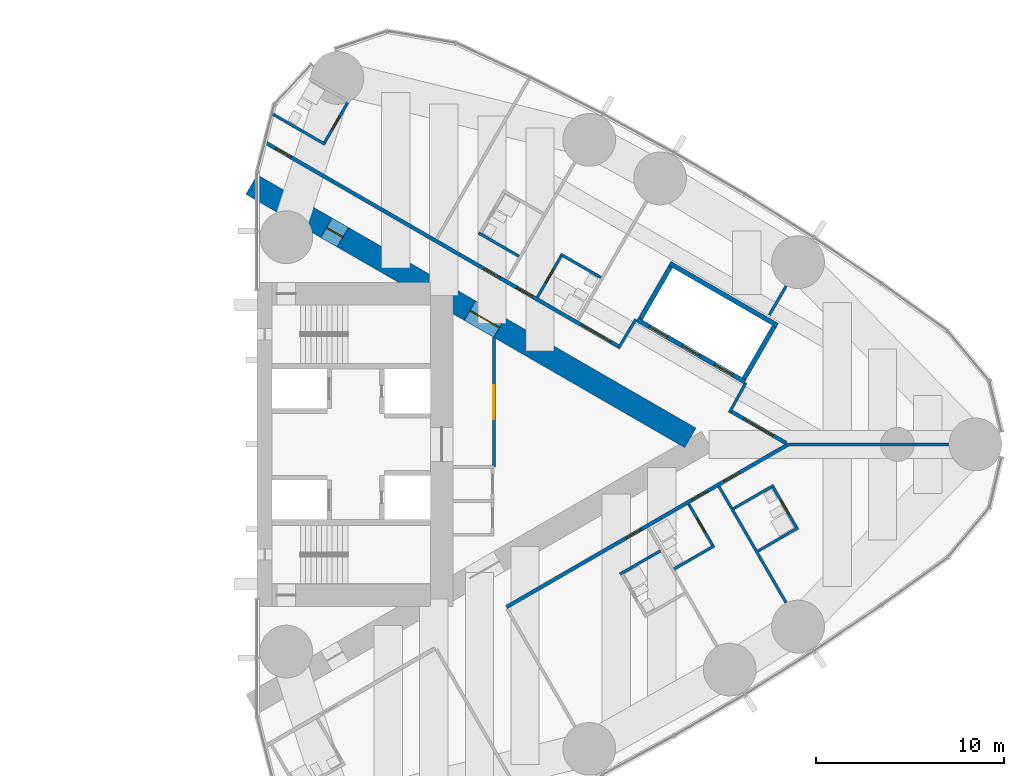
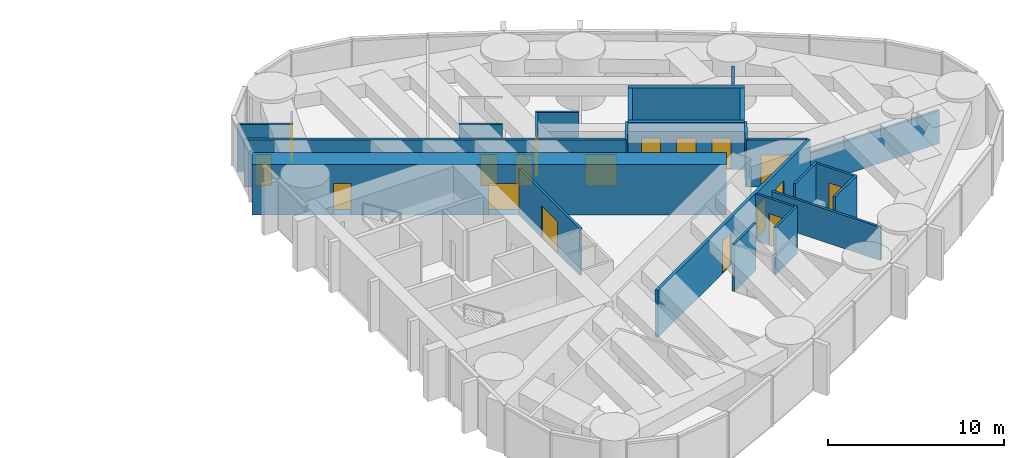
# One storey, part 15 of 19: 25 walls, 18 doors, 18 openings.
"""IFC4 building model written with IfcOpenShell, lengths in metres."""

import ifcopenshell
import ifcopenshell.guid

model = None  # the IFC model being written
_history = None  # IfcOwnerHistory: only IFC2X3 demands one
_inside = {}  # id of a spatial element -> (the spatial element, [elements in it])
_under = {}  # id of a project, library or spatial element -> (it, [spatial elements below it])
_declared = {}  # id of a project -> (the project, [libraries it declares])
_typed = {}  # id of a type object -> (the type object, [elements of that type])
_made_of = {}  # id of a material, layer set ... -> (it, [elements and type objects made of it])


def new_model(schema):
    """Start an empty IFC model of exactly this schema.

    Asked for "IFC4X3", IfcOpenShell would pick the latest addendum, in which some entities
    have other attributes; the version numbers below select the first issue.
    IFC2X3 requires an IfcOwnerHistory on every rooted entity: one is made here for all.
    """
    global model, _history
    if schema == "IFC4X3":
        model = ifcopenshell.file(schema_version=(4, 3, 0, 0))
    else:
        model = ifcopenshell.file(schema=schema)
    _inside.clear()
    _under.clear()
    _declared.clear()
    _typed.clear()
    _made_of.clear()
    _history = None
    if model.schema == "IFC2X3":
        org = make("IfcOrganization", Name="unknown")
        user = make(
            "IfcPersonAndOrganization",
            ThePerson=make("IfcPerson", FamilyName="unknown"),
            TheOrganization=org,
        )
        app = make(
            "IfcApplication",
            ApplicationDeveloper=org,
            Version="unknown",
            ApplicationFullName="unknown",
            ApplicationIdentifier="unknown",
        )
        _history = make(
            "IfcOwnerHistory",
            OwningUser=user,
            OwningApplication=app,
            ChangeAction="ADDED",
            CreationDate=0,
        )
    return model


def make(cls, **values):
    """One entity of the class cls with the attributes given. An attribute that is None is left unset."""
    return model.create_entity(
        cls, **{name: value for name, value in values.items() if value is not None}
    )


def rooted(cls, **values):
    """An entity with a GlobalId (a new one), such as an element, a storey or a relation."""
    return make(cls, GlobalId=ifcopenshell.guid.new(), OwnerHistory=_history, **values)


def si_unit(unit_type, name, prefix=None):
    """IfcSIUnit, for example si_unit("LENGTHUNIT", "METRE", prefix="MILLI")."""
    return make("IfcSIUnit", UnitType=unit_type, Prefix=prefix, Name=name)


def assignment(units):
    """IfcUnitAssignment: the units of a project."""
    return None if units is None else make("IfcUnitAssignment", Units=units)


def point(xyz):
    """IfcCartesianPoint."""
    return None if xyz is None else make("IfcCartesianPoint", Coordinates=xyz)


def direction(xyz):
    """IfcDirection."""
    return None if xyz is None else make("IfcDirection", DirectionRatios=xyz)


def frame(location, z_axis=None, x_axis=None):
    """IfcAxis2Placement3D, a coordinate frame: its origin and axes. An axis left out is left unset."""
    return make(
        "IfcAxis2Placement3D",
        Location=point(location),
        Axis=direction(z_axis),
        RefDirection=direction(x_axis),
    )


def frame_2d(location, x_axis=None):
    """IfcAxis2Placement2D, a coordinate frame in the plane: its origin and x axis."""
    return make(
        "IfcAxis2Placement2D", Location=point(location), RefDirection=direction(x_axis)
    )


def origin():
    """The frame at (0, 0, 0) with its axes left unset."""
    return frame((0.0, 0.0, 0.0))


def place(relative_to, where):
    """IfcLocalPlacement: puts the frame where relative to a parent placement (None: the world)."""
    return make(
        "IfcLocalPlacement", PlacementRelTo=relative_to, RelativePlacement=where
    )


def context(
    kind, dimensions, precision=None, world=None, true_north=None, identifier=None
):
    """IfcGeometricRepresentationContext, for example the 3D "Model" context."""
    return make(
        "IfcGeometricRepresentationContext",
        ContextIdentifier=identifier,
        ContextType=kind,
        CoordinateSpaceDimension=dimensions,
        Precision=precision,
        WorldCoordinateSystem=world,
        TrueNorth=true_north,
    )


def subcontext(parent, identifier, kind, view, scale=None):
    """IfcGeometricRepresentationSubContext, for example "Body" below "Model"."""
    return make(
        "IfcGeometricRepresentationSubContext",
        ContextIdentifier=identifier,
        ContextType=kind,
        ParentContext=parent,
        TargetScale=scale,
        TargetView=view,
    )


def project(units=None, contexts=None):
    """IfcProject with its units and contexts."""
    return rooted(
        "IfcProject",
        Name="project",
        RepresentationContexts=contexts,
        UnitsInContext=assignment(units),
    )


def spatial(cls, under=None, at=None, **own):
    """A site, building, storey or space (cls), placed at a placement, below another one or the project."""
    s = rooted(cls, ObjectPlacement=at, **own)
    if under is not None:
        _under.setdefault(under.id(), (under, []))[1].append(s)
    return s


def profile(cls, at=None, kind="AREA", **sizes):
    """A parametric profile (cls). Its sizes go by their IFC names, for example OverallWidth=200.0."""
    return make(cls, ProfileType=kind, Position=at, **sizes)


def rectangle(**sizes):
    """IfcRectangleProfileDef."""
    return profile("IfcRectangleProfileDef", **sizes)


def extrude(swept, where, along, depth):
    """IfcExtrudedAreaSolid: the profile swept, set in the frame where, extruded along a direction by depth."""
    return make(
        "IfcExtrudedAreaSolid",
        SweptArea=swept,
        Position=where,
        ExtrudedDirection=direction(along),
        Depth=depth,
    )


def shape(context_of_items, identifier, shape_type, items):
    """IfcShapeRepresentation: the items that make up one representation, for example the "Body"."""
    return make(
        "IfcShapeRepresentation",
        ContextOfItems=context_of_items,
        RepresentationIdentifier=identifier,
        RepresentationType=shape_type,
        Items=items,
    )


def material(Name=None, Category=None):
    """IfcMaterial."""
    return make("IfcMaterial", Name=Name, Category=Category)


def layer(
    of_material, thickness, ventilated=None, Name=None, Category=None, Priority=None
):
    """IfcMaterialLayer: one layer of a wall or slab, of a material (None: an air gap)."""
    return make(
        "IfcMaterialLayer",
        Material=of_material,
        LayerThickness=thickness,
        IsVentilated=ventilated,
        Name=Name,
        Category=Category,
        Priority=Priority,
    )


def layer_set(layers, Name=None):
    """IfcMaterialLayerSet."""
    return make("IfcMaterialLayerSet", MaterialLayers=layers, LayerSetName=Name)


def made_of(thing, what):
    """Note that an element or type object is made of a material, layer set ...; save() writes the relation."""
    if what is not None:
        _made_of.setdefault(what.id(), (what, []))[1].append(thing)
    return thing


def type_object(cls, material=None, **own):
    """A type object (cls), such as IfcWallType, which elements share."""
    return made_of(rooted(cls, **own), material)


def element(
    cls,
    number,
    at=None,
    inside=None,
    cuts=None,
    type_object=None,
    material=None,
    context=None,
    identifier="Body",
    shape_type=None,
    held_by="IfcProductDefinitionShape",
    body=None,
    shapes=None,
    **own,
):
    """One element of the class cls, such as IfcWall. Its Tag is "e" and its number.

    at: its placement. inside: the storey or other place that contains it. cuts: it is an
    opening in that element (IfcRelVoidsElement). A single representation is given by context,
    identifier, shape_type and body (its items); several are given by shapes. held_by: the class
    of the entity that holds the representations. save() writes the other relations.
    """
    e = rooted(cls, Tag="e%d" % number, ObjectPlacement=at, **own)
    if body is not None:
        shapes = [shape(context, identifier, shape_type, body)]
    if shapes is not None:
        e.Representation = make(held_by, Representations=shapes)
    if inside is not None:
        _inside.setdefault(inside.id(), (inside, []))[1].append(e)
    if cuts is not None:
        rooted(
            "IfcRelVoidsElement", RelatingBuildingElement=cuts, RelatedOpeningElement=e
        )
    if type_object is not None:
        _typed.setdefault(type_object.id(), (type_object, []))[1].append(e)
    return made_of(e, material)


def fill(opening, filler):
    """IfcRelFillsElement: the door or window that sits in an opening."""
    return rooted(
        "IfcRelFillsElement",
        RelatingOpeningElement=opening,
        RelatedBuildingElement=filler,
    )


def aggregate(whole, parts):
    """IfcRelAggregates: a whole, such as a stair, and the parts it consists of."""
    return rooted("IfcRelAggregates", RelatingObject=whole, RelatedObjects=parts)


def save(model, path):
    """Write the relations noted so far, then the file.

    IfcRelAggregates (storeys below a building ...), IfcRelContainedInSpatialStructure (elements
    in a storey), IfcRelDefinesByType, IfcRelAssociatesMaterial and IfcRelDeclares: one each for
    every whole, place, type object, material and project.
    """
    for whole, parts in _under.values():
        aggregate(whole, parts)
    for where, things in _inside.values():
        rooted(
            "IfcRelContainedInSpatialStructure",
            RelatedElements=things,
            RelatingStructure=where,
        )
    for kind, things in _typed.values():
        rooted("IfcRelDefinesByType", RelatedObjects=things, RelatingType=kind)
    for what, things in _made_of.values():
        rooted("IfcRelAssociatesMaterial", RelatedObjects=things, RelatingMaterial=what)
    for by, libraries in _declared.values():
        rooted("IfcRelDeclares", RelatingContext=by, RelatedDefinitions=libraries)
    model.write(path)


model = new_model("IFC4")

# Units and contexts
model_context = context("Model", 3, precision=1e-05, world=origin(), true_north=direction((0.0, 1.0)))
body_context = subcontext(model_context, "Body", "Model", "MODEL_VIEW")
ifc_project = project(units=[si_unit("LENGTHUNIT", "METRE"), si_unit("AREAUNIT", "SQUARE_METRE"), si_unit("VOLUMEUNIT", "CUBIC_METRE"), si_unit("PLANEANGLEUNIT", "RADIAN"), si_unit("MASSUNIT", "GRAM", prefix="KILO")], contexts=[model_context])

# Site, building, storey
site_placement = place(None, origin())
site = spatial("IfcSite", under=ifc_project, at=site_placement, CompositionType="ELEMENT")
building_placement = place(site_placement, origin())
building = spatial("IfcBuilding", under=site, at=building_placement, Name="Lancet Gate Hotel", CompositionType="ELEMENT")
storey_placement = place(building_placement, frame((0.0, 0.0, 163.300048828125)))
storey = spatial("IfcBuildingStorey", under=building, at=storey_placement, Name="L43", CompositionType="ELEMENT", Elevation=163.300048828125)

# Walls
ifc_material_1 = material(Name="Moisture resistant board partition")
ifc_layer_1 = layer(ifc_material_1, 0.14990234375)
ifc_layer_set_1 = layer_set([ifc_layer_1], Name="Bathroom wall 150")
wall_type_1 = type_object("IfcWallType", Name="Bathroom wall 150", PredefinedType="PARTITIONING", material=ifc_layer_set_1)
for number, where, z_axis, x_axis, name in (
    (1, (46.766357421875, -6.89111328125, 0.0), (0.0, 0.0, 1.0), (0.86604923931, 0.499958713387, 0.0), "T2 bathroom wall 150 L43"),
    (2, (49.6396484375, -6.617919921875, 0.0), (0.0, 0.0, 1.0), (0.866006523861, 0.500032699561, 0.0), "T2 bathroom wall 150 L43"),
):
    element("IfcWall", number, at=place(storey_placement, frame(where, z_axis=z_axis, x_axis=x_axis)), inside=storey, type_object=wall_type_1, Name=name, PredefinedType="PARTITIONING", context=body_context, shape_type="SweptSolid", body=[
        extrude(rectangle(XDim=2.474853515625, YDim=0.14990234375, at=frame_2d((1.2373046875, 0.0))), origin(), (0.0, 0.0, 1.0), 3.25),
    ])

# Wall, opening, door
wall_1_placement = place(storey_placement, frame((50.418212890625, -3.166259765625, 0.0), z_axis=(0.0, 0.0, 1.0), x_axis=(0.499936506574, -0.866062058628, 0.0)))
wall_1 = element("IfcWall", 3, at=wall_1_placement, inside=storey, type_object=wall_type_1, Name="T2 bathroom wall 150 L43", PredefinedType="PARTITIONING", context=body_context, shape_type="SweptSolid", body=[
    extrude(rectangle(XDim=2.599853515625, YDim=0.14990234375, at=frame_2d((1.2998046875, 0.0))), origin(), (0.0, 0.0, 1.0), 3.25),
])
opening_1_placement = place(wall_1_placement, frame((0.89990234375, 0.0, 0.0)))
opening_1 = element("IfcOpeningElement", 4, at=opening_1_placement, cuts=wall_1, Name="Opening 4356-B", PredefinedType="OPENING", context=body_context, shape_type="SweptSolid", body=[
    extrude(rectangle(XDim=0.800048828125, YDim=2.199951171875, at=frame_2d((0.39990234375, 1.10009765625))), frame((0.0, 0.0849609375, 0.0), z_axis=(0.0, -1.0, 0.0), x_axis=(1.0, 0.0, 0.0)), (0.0, 0.0, 1.0), 0.169921875),
])
ifc_material_2 = material(Name="Timber door set", Category="wood")
door_type_1 = type_object("IfcDoorType", Name="Bathroom door 800", OperationType="SINGLE_SWING_RIGHT", PredefinedType="DOOR", material=ifc_material_2)
door_1_placement = place(opening_1_placement, origin())
door_1 = element("IfcDoor", 5, at=door_1_placement, inside=storey, type_object=door_type_1, Name="4356-B", OperationType="SINGLE_SWING_RIGHT", OverallHeight=2.199951171875, OverallWidth=0.800048828125, PredefinedType="DOOR", context=body_context, shape_type="SweptSolid", body=[
    extrude(rectangle(XDim=0.800048828125, YDim=2.199951171875, at=frame_2d((0.39990234375, 1.10009765625))), frame((0.0, 0.02490234375, 0.0), z_axis=(0.0, -1.0, 0.0), x_axis=(1.0, 0.0, 0.0)), (0.0, 0.0, 1.0), 0.050048828125),
])
fill(opening_1, door_1)

# Wall
wall_2_placement = place(storey_placement, frame((54.09033203125, -5.6650390625, 0.0), z_axis=(0.0, 0.0, 1.0), x_axis=(0.866006523861, 0.500032699561, 0.0)))
element("IfcWall", 6, at=wall_2_placement, inside=storey, type_object=wall_type_1, Name="T2 bathroom wall 150 L43", PredefinedType="PARTITIONING", context=body_context, shape_type="SweptSolid", body=[
    extrude(rectangle(XDim=2.474853515625, YDim=0.14990234375, at=frame_2d((1.2373046875, 0.0))), origin(), (0.0, 0.0, 1.0), 3.25),
])

# Wall, opening, door
wall_3_placement = place(storey_placement, frame((54.86865234375, -2.21337890625, 0.0), z_axis=(0.0, 0.0, 1.0), x_axis=(0.500047596559, -0.865997922154, 0.0)))
wall_3 = element("IfcWall", 7, at=wall_3_placement, inside=storey, type_object=wall_type_1, Name="T2 bathroom wall 150 L43", PredefinedType="PARTITIONING", context=body_context, shape_type="SweptSolid", body=[
    extrude(rectangle(XDim=2.599853515625, YDim=0.14990234375, at=frame_2d((1.2998046875, 0.0))), origin(), (0.0, 0.0, 1.0), 3.25),
])
opening_2_placement = place(wall_3_placement, frame((0.89990234375, 0.0, 0.0)))
opening_2 = element("IfcOpeningElement", 8, at=opening_2_placement, cuts=wall_3, Name="Opening 4357-B", PredefinedType="OPENING", context=body_context, shape_type="SweptSolid", body=[
    extrude(rectangle(XDim=0.800048828125, YDim=2.199951171875, at=frame_2d((0.39990234375, 1.10009765625))), frame((0.0, 0.0849609375, 0.0), z_axis=(0.0, -1.0, 0.0), x_axis=(1.0, 0.0, 0.0)), (0.0, 0.0, 1.0), 0.169921875),
])
door_2_placement = place(opening_2_placement, origin())
door_2 = element("IfcDoor", 9, at=door_2_placement, inside=storey, type_object=door_type_1, Name="4357-B", OperationType="SINGLE_SWING_RIGHT", OverallHeight=2.199951171875, OverallWidth=0.800048828125, PredefinedType="DOOR", context=body_context, shape_type="SweptSolid", body=[
    extrude(rectangle(XDim=0.800048828125, YDim=2.199951171875, at=frame_2d((0.39990234375, 1.10009765625))), frame((0.0, 0.02490234375, 0.0), z_axis=(0.0, -1.0, 0.0), x_axis=(1.0, 0.0, 0.0)), (0.0, 0.0, 1.0), 0.050048828125),
])
fill(opening_2, door_2)

# Walls
wall_4_placement = place(storey_placement, frame((52.790283203125, -3.413330078125, 0.0), z_axis=(0.0, 0.0, 1.0), x_axis=(0.866006523861, 0.500032699561, 0.0)))
element("IfcWall", 10, at=wall_4_placement, inside=storey, type_object=wall_type_1, Name="T2 bathroom wall 150 L43", PredefinedType="PARTITIONING", context=body_context, shape_type="SweptSolid", body=[
    extrude(rectangle(XDim=2.474853515625, YDim=0.14990234375, at=frame_2d((1.2373046875, 0.0))), origin(), (0.0, 0.0, 1.0), 3.25),
])
wall_5_placement = place(storey_placement, frame((43.613037109375, 10.097412109375, 0.0), z_axis=(0.0, 0.0, 1.0), x_axis=(0.866031185235, -0.4999899861, 0.0)))
element("IfcWall", 11, at=wall_5_placement, inside=storey, type_object=wall_type_1, Name="T2 bathroom wall 150 L43", PredefinedType="PARTITIONING", context=body_context, shape_type="SweptSolid", body=[
    extrude(rectangle(XDim=2.47509765625, YDim=0.14990234375, at=frame_2d((1.237548828125, 0.0))), origin(), (0.0, 0.0, 1.0), 3.25),
])

# Wall, opening, door
wall_6_placement = place(storey_placement, frame((42.3779296875, 7.80810546875, 0.0), z_axis=(0.0, 0.0, 1.0), x_axis=(0.500006934395, 0.866021400173, 0.0)))
wall_6 = element("IfcWall", 12, at=wall_6_placement, inside=storey, type_object=wall_type_1, Name="T2 bathroom wall 150 L43", PredefinedType="PARTITIONING", context=body_context, shape_type="SweptSolid", body=[
    extrude(rectangle(XDim=2.60009765625, YDim=0.14990234375, at=frame_2d((1.300048828125, 0.0))), origin(), (0.0, 0.0, 1.0), 3.25),
])
opening_3_placement = place(wall_6_placement, frame((0.89990234375, 0.0, 0.0)))
opening_3 = element("IfcOpeningElement", 13, at=opening_3_placement, cuts=wall_6, Name="Opening 4361-B", PredefinedType="OPENING", context=body_context, shape_type="SweptSolid", body=[
    extrude(rectangle(XDim=0.800048828125, YDim=2.199951171875, at=frame_2d((0.39990234375, 1.10009765625))), frame((0.0, 0.0849609375, 0.0), z_axis=(0.0, -1.0, 0.0), x_axis=(1.0, 0.0, 0.0)), (0.0, 0.0, 1.0), 0.169921875),
])
door_3_placement = place(opening_3_placement, origin())
door_3 = element("IfcDoor", 14, at=door_3_placement, inside=storey, type_object=door_type_1, Name="4361-B", OperationType="SINGLE_SWING_RIGHT", OverallHeight=2.199951171875, OverallWidth=0.800048828125, PredefinedType="DOOR", context=body_context, shape_type="SweptSolid", body=[
    extrude(rectangle(XDim=0.800048828125, YDim=2.199951171875, at=frame_2d((0.39990234375, 1.10009765625))), frame((0.0, 0.02490234375, 0.0), z_axis=(0.0, -1.0, 0.0), x_axis=(1.0, 0.0, 0.0)), (0.0, 0.0, 1.0), 0.050048828125),
])
fill(opening_3, door_3)

# Wall
wall_7_placement = place(storey_placement, frame((39.260986328125, 11.224365234375, 0.0), z_axis=(0.0, 0.0, 1.0), x_axis=(0.866006523861, -0.500032699561, 0.0)))
element("IfcWall", 15, at=wall_7_placement, inside=storey, type_object=wall_type_1, Name="T2 bathroom wall 150 L43", PredefinedType="PARTITIONING", context=body_context, shape_type="SweptSolid", body=[
    extrude(rectangle(XDim=2.474853515625, YDim=0.14990234375, at=frame_2d((1.2373046875, 0.0))), origin(), (0.0, 0.0, 1.0), 3.25),
])

# Wall, opening, door
wall_8_placement = place(storey_placement, frame((31.0478515625, 15.96630859375, 0.0), z_axis=(0.0, 0.0, 1.0), x_axis=(0.499936506574, 0.866062058628, 0.0)))
wall_8 = element("IfcWall", 16, at=wall_8_placement, inside=storey, type_object=wall_type_1, Name="T2 bathroom wall 150 L43", PredefinedType="PARTITIONING", context=body_context, shape_type="SweptSolid", body=[
    extrude(rectangle(XDim=2.599853515625, YDim=0.14990234375, at=frame_2d((1.2998046875, 0.0))), origin(), (0.0, 0.0, 1.0), 2.300048828125),
])
opening_4_placement = place(wall_8_placement, frame((0.89990234375, 0.0, 0.0)))
opening_4 = element("IfcOpeningElement", 17, at=opening_4_placement, cuts=wall_8, Name="Opening 4363-B", PredefinedType="OPENING", context=body_context, shape_type="SweptSolid", body=[
    extrude(rectangle(XDim=0.800048828125, YDim=2.199951171875, at=frame_2d((0.39990234375, 1.10009765625))), frame((0.0, 0.0849609375, 0.0), z_axis=(0.0, -1.0, 0.0), x_axis=(1.0, 0.0, 0.0)), (0.0, 0.0, 1.0), 0.169921875),
])
door_4_placement = place(opening_4_placement, origin())
door_4 = element("IfcDoor", 18, at=door_4_placement, inside=storey, type_object=door_type_1, Name="4363-B", OperationType="SINGLE_SWING_RIGHT", OverallHeight=2.199951171875, OverallWidth=0.800048828125, PredefinedType="DOOR", context=body_context, shape_type="SweptSolid", body=[
    extrude(rectangle(XDim=0.800048828125, YDim=2.199951171875, at=frame_2d((0.39990234375, 1.10009765625))), frame((0.0, 0.02490234375, 0.0), z_axis=(0.0, -1.0, 0.0), x_axis=(1.0, 0.0, 0.0)), (0.0, 0.0, 1.0), 0.050048828125),
])
fill(opening_4, door_4)

# Wall
wall_9_placement = place(storey_placement, frame((28.34326171875, 17.52783203125, 0.0), z_axis=(0.0, 0.0, 1.0), x_axis=(0.86600760081, -0.500030834389, 0.0)))
element("IfcWall", 19, at=wall_9_placement, inside=storey, type_object=wall_type_1, Name="T2 bathroom wall 150 L43", PredefinedType="PARTITIONING", context=body_context, shape_type="SweptSolid", body=[
    extrude(rectangle(XDim=3.197998046875, YDim=0.14990234375, at=frame_2d((1.59912109375, 0.0))), origin(), (0.0, 0.0, 1.0), 3.25),
])

# Wall, openings, doors
ifc_material_3 = material(Name="Concrete C70/85", Category="concrete")
ifc_layer_2 = layer(ifc_material_3, 1.199951171875)
ifc_layer_set_2 = layer_set([ifc_layer_2], Name="Buttress wall 1200")
wall_type_2 = type_object("IfcWallType", Name="Buttress wall 1200", PredefinedType="SHEAR", material=ifc_layer_set_2)
wall_10_placement = place(storey_placement, frame((27.199951171875, 13.800048828125, 0.0), z_axis=(0.0, 0.0, 1.0), x_axis=(0.866024515034, -0.500001539357, 0.0)))
wall_10 = element("IfcWall", 20, at=wall_10_placement, inside=storey, type_object=wall_type_2, Name="T2 buttress wall N L43", PredefinedType="SHEAR", context=body_context, shape_type="SweptSolid", body=[
    extrude(rectangle(XDim=26.9072265625, YDim=1.199951171875, at=frame_2d((13.45361328125, 0.0))), origin(), (0.0, 0.0, 1.0), 3.5),
])
opening_5_placement = place(wall_10_placement, frame((4.60009765625, 0.0, 0.0)))
opening_5 = element("IfcOpeningElement", 21, at=opening_5_placement, cuts=wall_10, Name="Opening T2-L43-LN", PredefinedType="OPENING", context=body_context, shape_type="SweptSolid", body=[
    extrude(rectangle(XDim=1.0, YDim=2.199951171875, at=frame_2d((0.5, 1.10009765625))), frame((0.0, 0.60986328125, 0.0), z_axis=(0.0, -1.0, 0.0), x_axis=(1.0, 0.0, 0.0)), (0.0, 0.0, 1.0), 1.219970703125),
])
opening_6_placement = place(wall_10_placement, frame((13.39453125, 0.0, 0.0)))
opening_6 = element("IfcOpeningElement", 22, at=opening_6_placement, cuts=wall_10, Name="Opening T2-L43-LHN", PredefinedType="OPENING", context=body_context, shape_type="SweptSolid", body=[
    extrude(rectangle(XDim=1.800048828125, YDim=2.199951171875, at=frame_2d((0.89990234375, 1.10009765625))), frame((0.0, 0.60986328125, 0.0), z_axis=(0.0, -1.0, 0.0), x_axis=(1.0, 0.0, 0.0)), (0.0, 0.0, 1.0), 1.219970703125),
])
ifc_material_4 = material(Name="Timber door set", Category="wood")
door_type_2 = type_object("IfcDoorType", Name="Lobby double door 1800", OperationType="DOUBLE_DOOR_SINGLE_SWING", PredefinedType="DOOR", material=ifc_material_4)
door_5_placement = place(opening_6_placement, origin())
door_5 = element("IfcDoor", 23, at=door_5_placement, inside=storey, type_object=door_type_2, Name="T2-L43-LHN", OperationType="DOUBLE_DOOR_SINGLE_SWING", OverallHeight=2.199951171875, OverallWidth=1.800048828125, PredefinedType="DOOR", context=body_context, shape_type="SweptSolid", body=[
    extrude(rectangle(XDim=1.800048828125, YDim=2.199951171875, at=frame_2d((0.89990234375, 1.10009765625))), frame((0.0, 0.02490234375, 0.0), z_axis=(0.0, -1.0, 0.0), x_axis=(1.0, 0.0, 0.0)), (0.0, 0.0, 1.0), 0.050048828125),
])
fill(opening_6, door_5)
ifc_material_5 = material(Name="Timber door set", Category="wood")
door_type_3 = type_object("IfcDoorType", Name="Stair lobby door 1000", OperationType="SINGLE_SWING_LEFT", PredefinedType="DOOR", material=ifc_material_5)
door_6_placement = place(opening_5_placement, origin())
door_6 = element("IfcDoor", 24, at=door_6_placement, inside=storey, type_object=door_type_3, Name="T2-L43-LN", OperationType="SINGLE_SWING_LEFT", OverallHeight=2.199951171875, OverallWidth=1.0, PredefinedType="DOOR", context=body_context, shape_type="SweptSolid", body=[
    extrude(rectangle(XDim=1.0, YDim=2.199951171875, at=frame_2d((0.5, 1.10009765625))), frame((0.0, 0.02490234375, 0.0), z_axis=(0.0, -1.0, 0.0), x_axis=(1.0, 0.0, 0.0)), (0.0, 0.0, 1.0), 0.050048828125),
])
fill(opening_5, door_6)

ifc_material_6 = material(Name="Gypsum board partition")
ifc_layer_3 = layer(ifc_material_6, 0.199951171875)
ifc_layer_set_3 = layer_set([ifc_layer_3], Name="Corridor wall 200")
wall_type_3 = type_object("IfcWallType", Name="Corridor wall 200", PredefinedType="PARTITIONING", material=ifc_layer_set_3)
wall_11_placement = place(storey_placement, frame((27.95947265625, 16.017333984375, 0.0), z_axis=(0.0, 0.0, 1.0), x_axis=(0.866027146794, -0.499996981007, 0.0)))
wall_11 = element("IfcWall", 25, at=wall_11_placement, inside=storey, type_object=wall_type_3, Name="T2 corridor wall 200 L43", PredefinedType="PARTITIONING", context=body_context, shape_type="SweptSolid", body=[
    extrude(rectangle(XDim=21.657470703125, YDim=0.199951171875, at=frame_2d((10.82861328125, 0.0))), origin(), (0.0, 0.0, 1.0), 3.25),
])
opening_7_placement = place(wall_11_placement, frame((15.391357421875, 0.0, 0.0)))
opening_7 = element("IfcOpeningElement", 26, at=opening_7_placement, cuts=wall_11, Name="Opening 4361-E", PredefinedType="OPENING", context=body_context, shape_type="SweptSolid", body=[
    extrude(rectangle(XDim=0.949951171875, YDim=2.199951171875, at=frame_2d((0.47509765625, 1.10009765625))), frame((0.0, 0.10986328125, 0.0), z_axis=(0.0, -1.0, 0.0), x_axis=(1.0, 0.0, 0.0)), (0.0, 0.0, 1.0), 0.219970703125),
])
opening_8_placement = place(wall_11_placement, frame((13.40869140625, 0.0, 0.0)))
opening_8 = element("IfcOpeningElement", 27, at=opening_8_placement, cuts=wall_11, Name="Opening 4362-E", PredefinedType="OPENING", context=body_context, shape_type="SweptSolid", body=[
    extrude(rectangle(XDim=0.949951171875, YDim=2.199951171875, at=frame_2d((0.47509765625, 1.10009765625))), frame((0.0, 0.10986328125, 0.0), z_axis=(0.0, -1.0, 0.0), x_axis=(1.0, 0.0, 0.0)), (0.0, 0.0, 1.0), 0.219970703125),
])
opening_9_placement = place(wall_11_placement, frame((0.60009765625, 0.0, 0.0)))
opening_9 = element("IfcOpeningElement", 28, at=opening_9_placement, cuts=wall_11, Name="Opening 4363-E", PredefinedType="OPENING", context=body_context, shape_type="SweptSolid", body=[
    extrude(rectangle(XDim=0.949951171875, YDim=2.199951171875, at=frame_2d((0.47509765625, 1.10009765625))), frame((0.0, 0.10986328125, 0.0), z_axis=(0.0, -1.0, 0.0), x_axis=(1.0, 0.0, 0.0)), (0.0, 0.0, 1.0), 0.219970703125),
])
opening_10_placement = place(wall_11_placement, frame((19.349365234375, 0.0, 0.0)))
opening_10 = element("IfcOpeningElement", 29, at=opening_10_placement, cuts=wall_11, Name="Opening T2-L43-LO2", PredefinedType="OPENING", context=body_context, shape_type="SweptSolid", body=[
    extrude(rectangle(XDim=1.800048828125, YDim=2.199951171875, at=frame_2d((0.89990234375, 1.10009765625))), frame((0.0, 0.10986328125, 0.0), z_axis=(0.0, -1.0, 0.0), x_axis=(1.0, 0.0, 0.0)), (0.0, 0.0, 1.0), 0.219970703125),
])
ifc_material_7 = material(Name="Timber door set", Category="wood")
door_type_4 = type_object("IfcDoorType", Name="Double door 1800", OperationType="DOUBLE_DOOR_SINGLE_SWING", PredefinedType="DOOR", material=ifc_material_7)
door_7_placement = place(opening_10_placement, origin())
door_7 = element("IfcDoor", 30, at=door_7_placement, inside=storey, type_object=door_type_4, Name="T2-L43-LO2", OperationType="DOUBLE_DOOR_SINGLE_SWING", OverallHeight=2.199951171875, OverallWidth=1.800048828125, PredefinedType="DOOR", context=body_context, shape_type="SweptSolid", body=[
    extrude(rectangle(XDim=1.800048828125, YDim=2.199951171875, at=frame_2d((0.89990234375, 1.10009765625))), frame((0.0, 0.02490234375, 0.0), z_axis=(0.0, -1.0, 0.0), x_axis=(1.0, 0.0, 0.0)), (0.0, 0.0, 1.0), 0.050048828125),
])
fill(opening_10, door_7)
ifc_material_8 = material(Name="Timber door set", Category="wood")
door_type_5 = type_object("IfcDoorType", Name="Guest room entry door 950", OperationType="SINGLE_SWING_LEFT", PredefinedType="DOOR", material=ifc_material_8)
door_8_placement = place(opening_7_placement, origin())
door_8 = element("IfcDoor", 31, at=door_8_placement, inside=storey, type_object=door_type_5, Name="4361-E", OperationType="SINGLE_SWING_LEFT", OverallHeight=2.199951171875, OverallWidth=0.949951171875, PredefinedType="DOOR", context=body_context, shape_type="SweptSolid", body=[
    extrude(rectangle(XDim=0.949951171875, YDim=2.199951171875, at=frame_2d((0.47509765625, 1.10009765625))), frame((0.0, 0.02490234375, 0.0), z_axis=(0.0, -1.0, 0.0), x_axis=(1.0, 0.0, 0.0)), (0.0, 0.0, 1.0), 0.050048828125),
])
fill(opening_7, door_8)
door_9_placement = place(opening_8_placement, origin())
door_9 = element("IfcDoor", 32, at=door_9_placement, inside=storey, type_object=door_type_5, Name="4362-E", OperationType="SINGLE_SWING_LEFT", OverallHeight=2.199951171875, OverallWidth=0.949951171875, PredefinedType="DOOR", context=body_context, shape_type="SweptSolid", body=[
    extrude(rectangle(XDim=0.949951171875, YDim=2.199951171875, at=frame_2d((0.47509765625, 1.10009765625))), frame((0.0, 0.02490234375, 0.0), z_axis=(0.0, -1.0, 0.0), x_axis=(1.0, 0.0, 0.0)), (0.0, 0.0, 1.0), 0.050048828125),
])
fill(opening_8, door_9)
door_10_placement = place(opening_9_placement, origin())
door_10 = element("IfcDoor", 33, at=door_10_placement, inside=storey, type_object=door_type_5, Name="4363-E", OperationType="SINGLE_SWING_LEFT", OverallHeight=2.199951171875, OverallWidth=0.949951171875, PredefinedType="DOOR", context=body_context, shape_type="SweptSolid", body=[
    extrude(rectangle(XDim=0.949951171875, YDim=2.199951171875, at=frame_2d((0.47509765625, 1.10009765625))), frame((0.0, 0.02490234375, 0.0), z_axis=(0.0, -1.0, 0.0), x_axis=(1.0, 0.0, 0.0)), (0.0, 0.0, 1.0), 0.050048828125),
])
fill(opening_9, door_10)

# Wall, opening, door
wall_12_placement = place(storey_placement, frame((52.63916015625, 1.7685546875, 0.0), z_axis=(0.0, 0.0, 1.0), x_axis=(0.866027340901, -0.4999966448, 0.0)))
wall_12 = element("IfcWall", 34, at=wall_12_placement, inside=storey, type_object=wall_type_3, Name="T2 corridor wall 200 L43", PredefinedType="PARTITIONING", context=body_context, shape_type="SweptSolid", body=[
    extrude(rectangle(XDim=3.4169921875, YDim=0.199951171875, at=frame_2d((1.70849609375, 0.0))), origin(), (0.0, 0.0, 1.0), 3.25),
])
opening_11_placement = place(wall_12_placement, frame((0.80859375, 0.0, 0.0)))
opening_11 = element("IfcOpeningElement", 35, at=opening_11_placement, cuts=wall_12, Name="Opening T2-L43-LO1", PredefinedType="OPENING", context=body_context, shape_type="SweptSolid", body=[
    extrude(rectangle(XDim=1.800048828125, YDim=2.199951171875, at=frame_2d((0.89990234375, 1.10009765625))), frame((0.0, 0.10986328125, 0.0), z_axis=(0.0, -1.0, 0.0), x_axis=(1.0, 0.0, 0.0)), (0.0, 0.0, 1.0), 0.219970703125),
])
door_11_placement = place(opening_11_placement, origin())
door_11 = element("IfcDoor", 36, at=door_11_placement, inside=storey, type_object=door_type_4, Name="T2-L43-LO1", OperationType="DOUBLE_DOOR_SINGLE_SWING", OverallHeight=2.199951171875, OverallWidth=1.800048828125, PredefinedType="DOOR", context=body_context, shape_type="SweptSolid", body=[
    extrude(rectangle(XDim=1.800048828125, YDim=2.199951171875, at=frame_2d((0.89990234375, 1.10009765625))), frame((0.0, 0.02490234375, 0.0), z_axis=(0.0, -1.0, 0.0), x_axis=(1.0, 0.0, 0.0)), (0.0, 0.0, 1.0), 0.050048828125),
])
fill(opening_11, door_11)

# Wall, openings, doors
wall_13_placement = place(storey_placement, frame((40.740966796875, -8.637939453125, 0.0), z_axis=(0.0, 0.0, 1.0), x_axis=(0.866022967338, 0.500004220025, 0.0)))
wall_13 = element("IfcWall", 37, at=wall_13_placement, inside=storey, type_object=wall_type_3, Name="T2 corridor wall 200 L43", PredefinedType="PARTITIONING", context=body_context, shape_type="SweptSolid", body=[
    extrude(rectangle(XDim=17.275634765625, YDim=0.199951171875, at=frame_2d((8.6376953125, 0.0))), origin(), (0.0, 0.0, 1.0), 3.25),
])
opening_12_placement = place(wall_13_placement, frame((7.31640625, 0.0, 0.0)))
opening_12 = element("IfcOpeningElement", 38, at=opening_12_placement, cuts=wall_13, Name="Opening 4354-E", PredefinedType="OPENING", context=body_context, shape_type="SweptSolid", body=[
    extrude(rectangle(XDim=0.949951171875, YDim=2.199951171875, at=frame_2d((0.47509765625, 1.10009765625))), frame((0.0, 0.10986328125, 0.0), z_axis=(0.0, -1.0, 0.0), x_axis=(1.0, 0.0, 0.0)), (0.0, 0.0, 1.0), 0.219970703125),
])
opening_13_placement = place(wall_13_placement, frame((11.366455078125, 0.0, 0.0)))
opening_13 = element("IfcOpeningElement", 39, at=opening_13_placement, cuts=wall_13, Name="Opening 4356-E", PredefinedType="OPENING", context=body_context, shape_type="SweptSolid", body=[
    extrude(rectangle(XDim=0.949951171875, YDim=2.199951171875, at=frame_2d((0.47509765625, 1.10009765625))), frame((0.0, 0.10986328125, 0.0), z_axis=(0.0, -1.0, 0.0), x_axis=(1.0, 0.0, 0.0)), (0.0, 0.0, 1.0), 0.219970703125),
])
opening_14_placement = place(wall_13_placement, frame((13.34716796875, 0.0, 0.0)))
opening_14 = element("IfcOpeningElement", 40, at=opening_14_placement, cuts=wall_13, Name="Opening 4357-E", PredefinedType="OPENING", context=body_context, shape_type="SweptSolid", body=[
    extrude(rectangle(XDim=0.949951171875, YDim=2.199951171875, at=frame_2d((0.47509765625, 1.10009765625))), frame((0.0, 0.10986328125, 0.0), z_axis=(0.0, -1.0, 0.0), x_axis=(1.0, 0.0, 0.0)), (0.0, 0.0, 1.0), 0.219970703125),
])
door_12_placement = place(opening_12_placement, origin())
door_12 = element("IfcDoor", 41, at=door_12_placement, inside=storey, type_object=door_type_5, Name="4354-E", OperationType="SINGLE_SWING_LEFT", OverallHeight=2.199951171875, OverallWidth=0.949951171875, PredefinedType="DOOR", context=body_context, shape_type="SweptSolid", body=[
    extrude(rectangle(XDim=0.949951171875, YDim=2.199951171875, at=frame_2d((0.47509765625, 1.10009765625))), frame((0.0, 0.02490234375, 0.0), z_axis=(0.0, -1.0, 0.0), x_axis=(1.0, 0.0, 0.0)), (0.0, 0.0, 1.0), 0.050048828125),
])
fill(opening_12, door_12)
door_13_placement = place(opening_13_placement, origin())
door_13 = element("IfcDoor", 42, at=door_13_placement, inside=storey, type_object=door_type_5, Name="4356-E", OperationType="SINGLE_SWING_LEFT", OverallHeight=2.199951171875, OverallWidth=0.949951171875, PredefinedType="DOOR", context=body_context, shape_type="SweptSolid", body=[
    extrude(rectangle(XDim=0.949951171875, YDim=2.199951171875, at=frame_2d((0.47509765625, 1.10009765625))), frame((0.0, 0.02490234375, 0.0), z_axis=(0.0, -1.0, 0.0), x_axis=(1.0, 0.0, 0.0)), (0.0, 0.0, 1.0), 0.050048828125),
])
fill(opening_13, door_13)
door_14_placement = place(opening_14_placement, origin())
door_14 = element("IfcDoor", 43, at=door_14_placement, inside=storey, type_object=door_type_5, Name="4357-E", OperationType="SINGLE_SWING_LEFT", OverallHeight=2.199951171875, OverallWidth=0.949951171875, PredefinedType="DOOR", context=body_context, shape_type="SweptSolid", body=[
    extrude(rectangle(XDim=0.949951171875, YDim=2.199951171875, at=frame_2d((0.47509765625, 1.10009765625))), frame((0.0, 0.02490234375, 0.0), z_axis=(0.0, -1.0, 0.0), x_axis=(1.0, 0.0, 0.0)), (0.0, 0.0, 1.0), 0.050048828125),
])
fill(opening_14, door_14)

ifc_material_9 = material(Name="Gypsum board partition")
ifc_layer_4 = layer(ifc_material_9, 0.25)
ifc_layer_set_4 = layer_set([ifc_layer_4], Name="Lift shaft partition 250")
wall_type_4 = type_object("IfcWallType", Name="Lift shaft partition 250", PredefinedType="PARTITIONING", material=ifc_layer_set_4)
wall_14_placement = place(storey_placement, frame((47.681396484375, 6.622314453125, 0.0), z_axis=(0.0, 0.0, 1.0), x_axis=(0.86603344179, -0.499986077507, 0.0)))
wall_14 = element("IfcWall", 44, at=wall_14_placement, inside=storey, type_object=wall_type_4, Name="T2 lift shaft wall HL L43", PredefinedType="PARTITIONING", context=body_context, shape_type="SweptSolid", body=[
    extrude(rectangle(XDim=6.600341796875, YDim=0.25, at=frame_2d((3.30029296875, 0.0))), origin(), (0.0, 0.0, 1.0), 3.25),
])
opening_15_placement = place(wall_14_placement, frame((0.75, 0.0, 0.0)))
opening_15 = element("IfcOpeningElement", 45, at=opening_15_placement, cuts=wall_14, Name="Opening T2-HL1-L43", PredefinedType="OPENING", context=body_context, shape_type="SweptSolid", body=[
    extrude(rectangle(XDim=1.10009765625, YDim=2.199951171875, at=frame_2d((0.550048828125, 1.10009765625))), frame((0.0, 0.135009765625, 0.0), z_axis=(0.0, -1.0, 0.0), x_axis=(1.0, 0.0, 0.0)), (0.0, 0.0, 1.0), 0.27001953125),
])
opening_16_placement = place(wall_14_placement, frame((2.75, 0.0, 0.0)))
opening_16 = element("IfcOpeningElement", 46, at=opening_16_placement, cuts=wall_14, Name="Opening T2-HL2-L43", PredefinedType="OPENING", context=body_context, shape_type="SweptSolid", body=[
    extrude(rectangle(XDim=1.10009765625, YDim=2.199951171875, at=frame_2d((0.550048828125, 1.10009765625))), frame((0.0, 0.135009765625, 0.0), z_axis=(0.0, -1.0, 0.0), x_axis=(1.0, 0.0, 0.0)), (0.0, 0.0, 1.0), 0.27001953125),
])
opening_17_placement = place(wall_14_placement, frame((4.75, 0.0, 0.0)))
opening_17 = element("IfcOpeningElement", 47, at=opening_17_placement, cuts=wall_14, Name="Opening T2-HL3-L43", PredefinedType="OPENING", context=body_context, shape_type="SweptSolid", body=[
    extrude(rectangle(XDim=1.10009765625, YDim=2.199951171875, at=frame_2d((0.550048828125, 1.10009765625))), frame((0.0, 0.135009765625, 0.0), z_axis=(0.0, -1.0, 0.0), x_axis=(1.0, 0.0, 0.0)), (0.0, 0.0, 1.0), 0.27001953125),
])
ifc_material_10 = material(Name="Steel door set", Category="steel")
door_type_6 = type_object("IfcDoorType", Name="Lift landing door 1100", OperationType="DOUBLE_DOOR_SLIDING", PredefinedType="USERDEFINED", material=ifc_material_10)
door_15_placement = place(opening_15_placement, origin())
door_15 = element("IfcDoor", 48, at=door_15_placement, inside=storey, type_object=door_type_6, Name="T2-HL1-L43", ObjectType="LIFT LANDING DOOR", OperationType="DOUBLE_DOOR_SLIDING", OverallHeight=2.199951171875, OverallWidth=1.10009765625, PredefinedType="USERDEFINED", context=body_context, shape_type="SweptSolid", body=[
    extrude(rectangle(XDim=1.10009765625, YDim=2.199951171875, at=frame_2d((0.550048828125, 1.10009765625))), frame((0.0, 0.02490234375, 0.0), z_axis=(0.0, -1.0, 0.0), x_axis=(1.0, 0.0, 0.0)), (0.0, 0.0, 1.0), 0.050048828125),
])
fill(opening_15, door_15)
door_16_placement = place(opening_16_placement, origin())
door_16 = element("IfcDoor", 49, at=door_16_placement, inside=storey, type_object=door_type_6, Name="T2-HL2-L43", ObjectType="LIFT LANDING DOOR", OperationType="DOUBLE_DOOR_SLIDING", OverallHeight=2.199951171875, OverallWidth=1.10009765625, PredefinedType="USERDEFINED", context=body_context, shape_type="SweptSolid", body=[
    extrude(rectangle(XDim=1.10009765625, YDim=2.199951171875, at=frame_2d((0.550048828125, 1.10009765625))), frame((0.0, 0.02490234375, 0.0), z_axis=(0.0, -1.0, 0.0), x_axis=(1.0, 0.0, 0.0)), (0.0, 0.0, 1.0), 0.050048828125),
])
fill(opening_16, door_16)
door_17_placement = place(opening_17_placement, origin())
door_17 = element("IfcDoor", 50, at=door_17_placement, inside=storey, type_object=door_type_6, Name="T2-HL3-L43", ObjectType="LIFT LANDING DOOR", OperationType="DOUBLE_DOOR_SLIDING", OverallHeight=2.199951171875, OverallWidth=1.10009765625, PredefinedType="USERDEFINED", context=body_context, shape_type="SweptSolid", body=[
    extrude(rectangle(XDim=1.10009765625, YDim=2.199951171875, at=frame_2d((0.550048828125, 1.10009765625))), frame((0.0, 0.02490234375, 0.0), z_axis=(0.0, -1.0, 0.0), x_axis=(1.0, 0.0, 0.0)), (0.0, 0.0, 1.0), 0.050048828125),
])
fill(opening_17, door_17)

# Walls
wall_15_placement = place(storey_placement, frame((49.406494140625, 9.61083984375, 0.0), z_axis=(0.0, 0.0, 1.0), x_axis=(0.86603344179, -0.499986077507, 0.0)))
element("IfcWall", 51, at=wall_15_placement, inside=storey, type_object=wall_type_4, Name="T2 lift shaft wall HL L43", PredefinedType="PARTITIONING", context=body_context, shape_type="SweptSolid", body=[
    extrude(rectangle(XDim=6.600341796875, YDim=0.25, at=frame_2d((3.30029296875, 0.0))), origin(), (0.0, 0.0, 1.0), 3.25),
])
wall_16_placement = place(storey_placement, frame((47.852294921875, 6.66796875, 0.0), z_axis=(0.0, 0.0, 1.0), x_axis=(0.499929347863, 0.866066190972, 0.0)))
element("IfcWall", 52, at=wall_16_placement, inside=storey, type_object=wall_type_4, Name="T2 lift shaft wall HL L43", PredefinedType="PARTITIONING", context=body_context, shape_type="SweptSolid", body=[
    extrude(rectangle(XDim=3.20068359375, YDim=0.25, at=frame_2d((1.600341796875, 0.0))), origin(), (0.0, 0.0, 1.0), 3.25),
])
wall_17_placement = place(storey_placement, frame((53.351806640625, 3.492919921875, 0.0), z_axis=(0.0, 0.0, 1.0), x_axis=(0.499872130319, 0.866099216793, 0.0)))
element("IfcWall", 53, at=wall_17_placement, inside=storey, type_object=wall_type_4, Name="T2 lift shaft wall HL L43", PredefinedType="PARTITIONING", context=body_context, shape_type="SweptSolid", body=[
    extrude(rectangle(XDim=3.200439453125, YDim=0.25, at=frame_2d((1.60009765625, 0.0))), origin(), (0.0, 0.0, 1.0), 3.25),
])
ifc_material_11 = material(Name="Gypsum board partition")
ifc_layer_5 = layer(ifc_material_11, 0.14990234375)
ifc_layer_set_5 = layer_set([ifc_layer_5], Name="Party wall 150")
wall_type_5 = type_object("IfcWallType", Name="Party wall 150", PredefinedType="PARTITIONING", material=ifc_layer_set_5)
wall_18_placement = place(storey_placement, frame((52.025390625, -2.23828125, 0.0), z_axis=(0.0, 0.0, 1.0), x_axis=(0.499983785035, -0.866034765296, 0.0)))
element("IfcWall", 54, at=wall_18_placement, inside=storey, type_object=wall_type_5, Name="T2 party wall 150 L43", PredefinedType="PARTITIONING", context=body_context, shape_type="SweptSolid", body=[
    extrude(rectangle(XDim=7.116455078125, YDim=0.14990234375, at=frame_2d((3.55810546875, 0.0))), origin(), (0.0, 0.0, 1.0), 2.300048828125),
])
wall_19_placement = place(storey_placement, frame((55.7021484375, 0.0, 0.0), z_axis=(0.0, 0.0, 1.0), x_axis=(1.0, 0.0, 0.0)))
element("IfcWall", 55, at=wall_19_placement, inside=storey, type_object=wall_type_5, Name="T2 party wall 150 L43", PredefinedType="PARTITIONING", context=body_context, shape_type="SweptSolid", body=[
    extrude(rectangle(XDim=8.517578125, YDim=0.14990234375, at=frame_2d((4.2587890625, 0.0))), origin(), (0.0, 0.0, 1.0), 2.300048828125),
])
wall_20_placement = place(storey_placement, frame((54.700439453125, 6.871826171875, 0.0), z_axis=(0.0, 0.0, 1.0), x_axis=(0.499989690894, 0.866031355668, 0.0)))
element("IfcWall", 56, at=wall_20_placement, inside=storey, type_object=wall_type_5, Name="T2 party wall 150 L43", PredefinedType="PARTITIONING", context=body_context, shape_type="SweptSolid", body=[
    extrude(rectangle(XDim=1.76611328125, YDim=0.14990234375, at=frame_2d((0.883056640625, 0.0))), origin(), (0.0, 0.0, 1.0), 3.25),
])
ifc_material_12 = material(Name="Gypsum board partition")
ifc_layer_6 = layer(ifc_material_12, 0.14990234375)
ifc_layer_set_6 = layer_set([ifc_layer_6], Name="Service room wall 150")
wall_type_6 = type_object("IfcWallType", Name="Service room wall 150", PredefinedType="PARTITIONING", material=ifc_layer_set_6)
wall_21_placement = place(storey_placement, frame((52.576171875, 1.689453125, 0.0), z_axis=(0.0, 0.0, 1.0), x_axis=(0.485424724123, 0.874278466629, 0.0)))
element("IfcWall", 57, at=wall_21_placement, inside=storey, type_object=wall_type_6, Name="T2 service room wall 150 L43", PredefinedType="PARTITIONING", context=body_context, shape_type="SweptSolid", body=[
    extrude(rectangle(XDim=1.80517578125, YDim=0.14990234375, at=frame_2d((0.902587890625, 0.0))), origin(), (0.0, 0.0, 1.0), 3.25),
])
wall_22_placement = place(storey_placement, frame((47.6064453125, 6.642578125, 0.0), z_axis=(0.0, 0.0, 1.0), x_axis=(-0.514237157483, -0.857648031458, 0.0)))
element("IfcWall", 58, at=wall_22_placement, inside=storey, type_object=wall_type_6, Name="T2 service room wall 150 L43", PredefinedType="PARTITIONING", context=body_context, shape_type="SweptSolid", body=[
    extrude(rectangle(XDim=1.804931640625, YDim=0.14990234375, at=frame_2d((0.90234375, 0.0))), origin(), (0.0, 0.0, 1.0), 3.25),
])

# Wall, opening, door
wall_23_placement = place(storey_placement, frame((40.074951171875, -1.199951171875, 0.0), z_axis=(0.0, 0.0, 1.0), x_axis=(0.0, 1.0, 0.0)))
wall_23 = element("IfcWall", 59, at=wall_23_placement, inside=storey, type_object=wall_type_6, Name="T2 service room wall 150 L43", PredefinedType="PARTITIONING", context=body_context, shape_type="SweptSolid", body=[
    extrude(rectangle(XDim=6.873779296875, YDim=0.14990234375, at=frame_2d((3.43701171875, 0.0))), origin(), (0.0, 0.0, 1.0), 3.25),
])
opening_18_placement = place(wall_23_placement, frame((2.536865234375, 0.0, 0.0)))
opening_18 = element("IfcOpeningElement", 60, at=opening_18_placement, cuts=wall_23, Name="Opening T2-L43-LH", PredefinedType="OPENING", context=body_context, shape_type="SweptSolid", body=[
    extrude(rectangle(XDim=1.800048828125, YDim=2.199951171875, at=frame_2d((0.89990234375, 1.10009765625))), frame((0.0, 0.0849609375, 0.0), z_axis=(0.0, -1.0, 0.0), x_axis=(1.0, 0.0, 0.0)), (0.0, 0.0, 1.0), 0.169921875),
])
door_18_placement = place(opening_18_placement, origin())
door_18 = element("IfcDoor", 61, at=door_18_placement, inside=storey, type_object=door_type_2, Name="T2-L43-LH", OperationType="DOUBLE_DOOR_SINGLE_SWING", OverallHeight=2.199951171875, OverallWidth=1.800048828125, PredefinedType="DOOR", context=body_context, shape_type="SweptSolid", body=[
    extrude(rectangle(XDim=1.800048828125, YDim=2.199951171875, at=frame_2d((0.89990234375, 1.10009765625))), frame((0.0, 0.02490234375, 0.0), z_axis=(0.0, -1.0, 0.0), x_axis=(1.0, 0.0, 0.0)), (0.0, 0.0, 1.0), 0.050048828125),
])
fill(opening_18, door_18)

save(model, "model.ifc")
